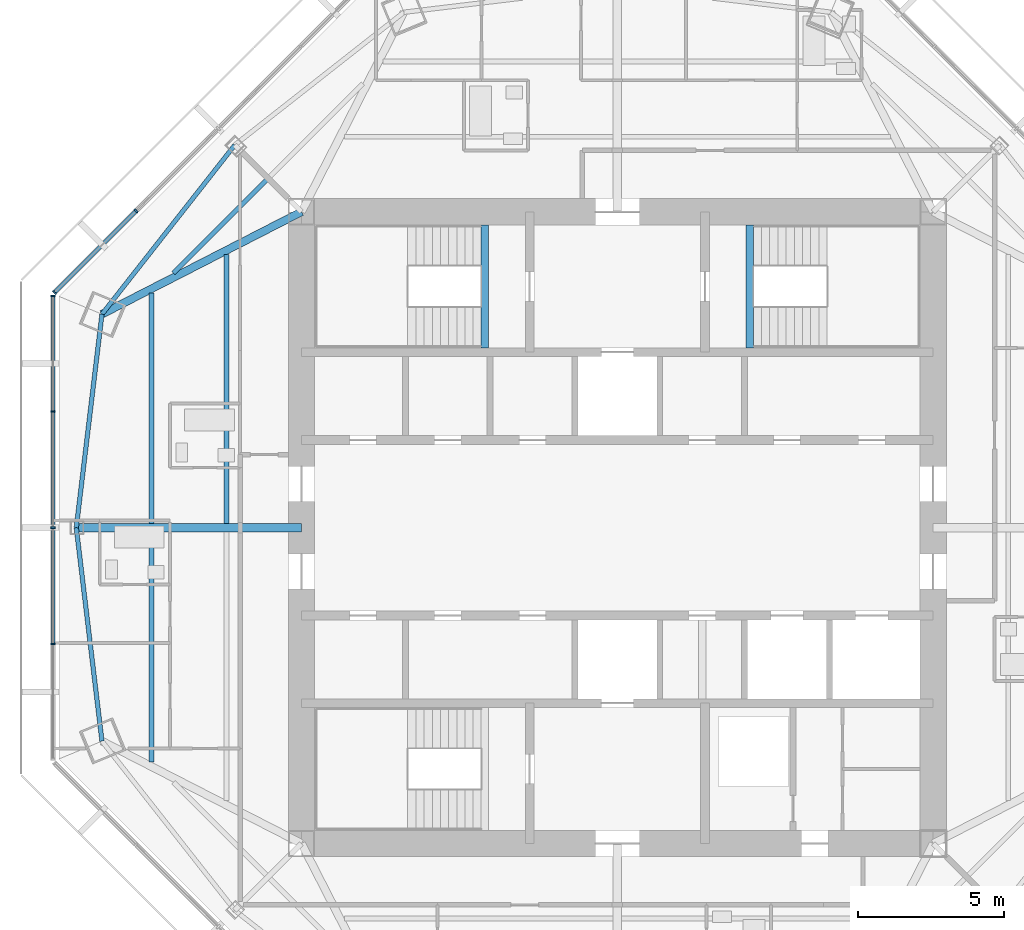
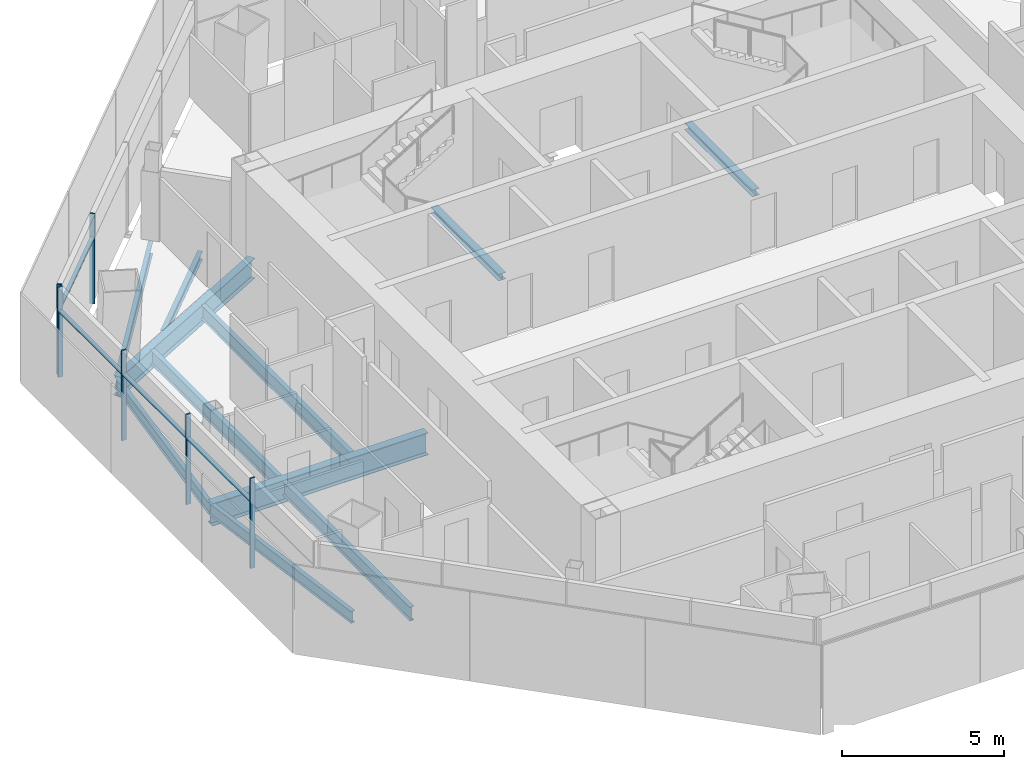
# One storey, part 4 of 15: 11 beams, 10 members, 2 elements without a shape of their own.
"""IFC4 building model written with IfcOpenShell, lengths in metres."""

from ifc_helpers import new_model, si_unit, direction, frame, origin, origin_2d, place, context, subcontext, project, spatial, rectangle, i_section, extrude, source, transform, mapped, material, material_profile, profile_set, type_object, type_shapes, element, aggregate, save


model = new_model("IFC4")

# Units and contexts
model_context = context("Model", 3, precision=1e-05, world=origin(), true_north=direction((0.0, 1.0)))
body_context = subcontext(model_context, "Body", "Model", "MODEL_VIEW")
ifc_project = project(units=[si_unit("LENGTHUNIT", "METRE"), si_unit("AREAUNIT", "SQUARE_METRE"), si_unit("VOLUMEUNIT", "CUBIC_METRE"), si_unit("PLANEANGLEUNIT", "RADIAN"), si_unit("MASSUNIT", "GRAM", prefix="KILO")], contexts=[model_context])

# Site, building, storey
site_placement = place(None, origin())
site = spatial("IfcSite", under=ifc_project, at=site_placement, CompositionType="ELEMENT")
building_placement = place(site_placement, origin())
building = spatial("IfcBuilding", under=site, at=building_placement, Name="Mashrafa Tower", CompositionType="ELEMENT")
storey_placement = place(building_placement, frame((0.0, 0.0, 308.199951171875)))
storey = spatial("IfcBuildingStorey", under=building, at=storey_placement, Name="L76", CompositionType="ELEMENT", Elevation=308.199951171875)

# Beams
ifc_material_1 = material(Name="Steel ASTM A992", Category="steel")
ifc_material_profile_1 = material_profile(ifc_material_1, i_section(OverallWidth=0.164794921875, OverallDepth=0.309814453125, WebThickness=0.005859375, FlangeThickness=0.009765625, FilletRadius=0.007568359375, at=origin_2d()), Name="W12X26")
ifc_profile_set_1 = profile_set([ifc_material_profile_1], Name="Steel ASTM A992")
beam_type_1 = type_object("IfcBeamType", Name="Beam W12X26", PredefinedType="BEAM", material=ifc_profile_set_1)
beam_1_placement = place(storey_placement, frame((-15.17919921875, 8.70361328125, -0.35498046875), z_axis=(0.707106781187, 0.707106781187, 0.0), x_axis=(-0.707106781187, 0.707106781187, 0.0)))
element("IfcBeam", 1, at=beam_1_placement, inside=storey, type_object=beam_type_1, Name="Floor beam L76 003", PredefinedType="BEAM", context=body_context, shape_type="SweptSolid", body=[
    extrude(i_section(OverallWidth=0.164794921875, OverallDepth=0.309814453125, WebThickness=0.005859375, FlangeThickness=0.009765625, FilletRadius=0.007568359375, at=origin_2d()), origin(), (0.0, 0.0, 1.0), 4.48974609375),
])
ifc_material_2 = material(Name="Steel ASTM A992", Category="steel")
ifc_material_profile_2 = material_profile(ifc_material_2, i_section(OverallWidth=0.15234375, OverallDepth=0.449462890625, WebThickness=0.007568359375, FlangeThickness=0.0107421875, FilletRadius=0.01025390625, at=origin_2d()), Name="W18X35")
ifc_profile_set_2 = profile_set([ifc_material_profile_2], Name="Steel ASTM A992")
beam_type_2 = type_object("IfcBeamType", Name="Beam W18X35", PredefinedType="BEAM", material=ifc_profile_set_2)
for number, where, z_axis, x_axis, name in (
    (2, (-18.501708984375, 0.0, -0.4248046875), (0.119439821638, -0.992841442027, 0.0), (0.992841442027, 0.119439821638, 0.0), "Spandrel beam L76 041"),
    (3, (-17.62353515625, 7.2998046875, -0.4248046875), (-0.119439821638, -0.992841442027, 0.0), (0.992841442027, -0.119439821638, 0.0), "Spandrel beam L76 043"),
    (4, (-13.082763671875, 13.082763671875, -0.4248046875), (-0.617570758349, -0.786515326254, 0.0), (0.786515326254, -0.617570758349, 0.0), "Spandrel beam L76 045"),
):
    element("IfcBeam", number, at=place(storey_placement, frame(where, z_axis=z_axis, x_axis=x_axis)), inside=storey, type_object=beam_type_2, Name=name, PredefinedType="BEAM", context=body_context, shape_type="SweptSolid", body=[
        extrude(i_section(OverallWidth=0.15234375, OverallDepth=0.449462890625, WebThickness=0.007568359375, FlangeThickness=0.0107421875, FilletRadius=0.01025390625, at=origin_2d()), origin(), (0.0, 0.0, 1.0), 7.3525390625),
    ])
ifc_material_3 = material(Name="Steel ASTM A992", Category="steel")
ifc_material_profile_3 = material_profile(ifc_material_3, i_section(OverallWidth=0.165771484375, OverallDepth=0.5283203125, WebThickness=0.009765625, FlangeThickness=0.013671875, FilletRadius=0.012939453125, at=origin_2d()), Name="W21X50")
ifc_profile_set_3 = profile_set([ifc_material_profile_3], Name="Steel ASTM A992")
beam_type_3 = type_object("IfcBeamType", Name="Beam W21X50", PredefinedType="BEAM", material=ifc_profile_set_3)
for number, where, z_axis, x_axis, name in (
    (5, (-15.9345703125, -8.016357421875, -0.464111328125), (0.0, 1.0, 0.0), (-1.0, 0.0, 0.0), "Floor beam L76 001"),
    (6, (-15.9345703125, 0.14599609375, -0.464111328125), (0.0, 1.0, 0.0), (-1.0, 0.0, 0.0), "Floor beam L76 002"),
):
    element("IfcBeam", number, at=place(storey_placement, frame(where, z_axis=z_axis, x_axis=x_axis)), inside=storey, type_object=beam_type_3, Name=name, PredefinedType="BEAM", context=body_context, shape_type="SweptSolid", body=[
        extrude(i_section(OverallWidth=0.165771484375, OverallDepth=0.5283203125, WebThickness=0.009765625, FlangeThickness=0.013671875, FilletRadius=0.012939453125, at=origin_2d()), origin(), (0.0, 0.0, 1.0), 7.870361328125),
    ])
beam_2_placement = place(storey_placement, frame((-13.3671875, 0.14599609375, -0.464111328125), z_axis=(0.0, 1.0, 0.0), x_axis=(-1.0, 0.0, 0.0)))
element("IfcBeam", 7, at=beam_2_placement, inside=storey, type_object=beam_type_3, Name="Floor beam L76 005", PredefinedType="BEAM", context=body_context, shape_type="SweptSolid", body=[
    extrude(i_section(OverallWidth=0.165771484375, OverallDepth=0.5283203125, WebThickness=0.009765625, FlangeThickness=0.013671875, FilletRadius=0.012939453125, at=origin_2d()), origin(), (0.0, 0.0, 1.0), 9.187255859375),
])
ifc_material_4 = material(Name="Steel ASTM A992", Category="steel")
ifc_material_profile_4 = material_profile(ifc_material_4, i_section(OverallWidth=0.2666015625, OverallDepth=0.75439453125, WebThickness=0.01318359375, FlangeThickness=0.01708984375, FilletRadius=0.0166015625, at=origin_2d()), Name="W30X99")
ifc_profile_set_4 = profile_set([ifc_material_profile_4], Name="Steel ASTM A992")
beam_type_4 = type_object("IfcBeamType", Name="Beam W30X99", PredefinedType="BEAM", material=ifc_profile_set_4)
beam_3_placement = place(storey_placement, frame((-10.800048828125, 10.800048828125, -0.5771484375), z_axis=(-0.889763431111, -0.456421994055, 0.0), x_axis=(0.456421994055, -0.889763431111, 0.0)))
element("IfcBeam", 8, at=beam_3_placement, inside=storey, type_object=beam_type_4, Name="Radial girder L76 029", PredefinedType="BEAM", context=body_context, shape_type="SweptSolid", body=[
    extrude(i_section(OverallWidth=0.2666015625, OverallDepth=0.75439453125, WebThickness=0.01318359375, FlangeThickness=0.01708984375, FilletRadius=0.0166015625, at=origin_2d()), origin(), (0.0, 0.0, 1.0), 7.6689453125),
])
ifc_material_5 = material(Name="Steel ASTM A992", Category="steel")
ifc_material_profile_5 = material_profile(ifc_material_5, i_section(OverallWidth=0.2919921875, OverallDepth=0.8408203125, WebThickness=0.0146484375, FlangeThickness=0.021728515625, FilletRadius=0.017333984375, at=origin_2d()), Name="W33X130")
ifc_profile_set_5 = profile_set([ifc_material_profile_5], Name="Steel ASTM A992")
beam_type_5 = type_object("IfcBeamType", Name="Beam W33X130", PredefinedType="BEAM", material=ifc_profile_set_5)
beam_4_placement = place(storey_placement, frame((-10.800048828125, 0.0, -0.620361328125), z_axis=(-1.0, 0.0, 0.0), x_axis=(0.0, -1.0, 0.0)))
element("IfcBeam", 9, at=beam_4_placement, inside=storey, type_object=beam_type_5, Name="Radial girder L76 028", PredefinedType="BEAM", context=body_context, shape_type="SweptSolid", body=[
    extrude(i_section(OverallWidth=0.2919921875, OverallDepth=0.8408203125, WebThickness=0.0146484375, FlangeThickness=0.021728515625, FilletRadius=0.017333984375, at=origin_2d()), origin(), (0.0, 0.0, 1.0), 7.70166015625),
])
ifc_material_6 = material(Name="Steel ASTM A992", Category="steel")
ifc_material_profile_6 = material_profile(ifc_material_6, i_section(OverallWidth=0.25390625, OverallDepth=0.25390625, WebThickness=0.008544921875, FlangeThickness=0.01416015625, FilletRadius=0.010009765625, at=origin_2d()), Name="W10X49")
ifc_profile_set_6 = profile_set([ifc_material_profile_6], Name="Steel ASTM A992")
beam_type_6 = type_object("IfcBeamType", Name="Hoistway beam W10X49", PredefinedType="BEAM", material=ifc_profile_set_6)
for number, where, z_axis, x_axis, name in (
    (10, (-4.530029296875, 6.14990234375, -0.326904296875), (0.0, 1.0, 0.0), (-1.0, 0.0, 0.0), "Stair S1 landing beam L76"),
    (11, (4.530029296875, 6.14990234375, -0.326904296875), (0.0, 1.0, 0.0), (-1.0, 0.0, 0.0), "Stair S2 landing beam L76"),
):
    element("IfcBeam", number, at=place(storey_placement, frame(where, z_axis=z_axis, x_axis=x_axis)), inside=storey, type_object=beam_type_6, Name=name, PredefinedType="BEAM", context=body_context, shape_type="SweptSolid", body=[
        extrude(i_section(OverallWidth=0.25390625, OverallDepth=0.25390625, WebThickness=0.008544921875, FlangeThickness=0.01416015625, FilletRadius=0.010009765625, at=origin_2d()), origin(), (0.0, 0.0, 1.0), 4.2001953125),
    ])

# Curtain wall, members
ifc_material_7 = material(Name="Unitised aluminium curtain wall", Category="aluminium")
curtain_wall_type = type_object("IfcCurtainWallType", Name="Apartment curtain wall, zone 4 CW-D 160 deep", PredefinedType="NOTDEFINED", material=ifc_material_7)
curtain_wall_1_placement = place(storey_placement, origin())
curtain_wall_1 = element("IfcCurtainWall", 12, at=curtain_wall_1_placement, inside=storey, type_object=curtain_wall_type, Name="Apartment curtain wall, zone 4 L76 north-west", PredefinedType="NOTDEFINED")
ifc_material_8 = material(Name="Extruded aluminium mullion", Category="aluminium")
ifc_material_profile_7 = material_profile(ifc_material_8, rectangle(XDim=0.159912109375, YDim=0.06005859375, at=origin_2d()), Name="Mullion 60x160")
ifc_profile_set_7 = profile_set([ifc_material_profile_7], Name="Extruded aluminium mullion")
member_type_1 = type_object("IfcMemberType", Name="Mullion CW-D 60 x 160", PredefinedType="MULLION", material=ifc_profile_set_7)
shared_shape_1 = source(origin(), body_context, "Body", "SweptSolid", [
    extrude(rectangle(XDim=0.159912109375, YDim=0.06005859375, at=origin_2d()), origin(), (0.0, 0.0, 1.0), 3.400146484375),
])
type_shapes(member_type_1, [shared_shape_1])
member_1_placement = place(storey_placement, frame((-16.455078125, 10.833740234375, 0.0), z_axis=(0.0, 0.0, 1.0), x_axis=(0.707106781187, -0.707106781187, 0.0)))
member_1 = element("IfcMember", 13, at=member_1_placement, type_object=member_type_1, Name="CW-D mullion 4", PredefinedType="MULLION", context=body_context, shape_type="MappedRepresentation", body=[
    mapped(shared_shape_1, transform((0.0, 0.0, 0.0))),
])
member_2_placement = place(storey_placement, frame((-19.244384765625, 8.04443359375, 0.0), z_axis=(0.0, 0.0, 1.0), x_axis=(0.707106781187, -0.707106781187, 0.0)))
member_2 = element("IfcMember", 14, at=member_2_placement, type_object=member_type_1, Name="CW-D mullion 5", PredefinedType="MULLION", context=body_context, shape_type="MappedRepresentation", body=[
    mapped(shared_shape_1, transform((0.0, 0.0, 0.0))),
])

curtain_wall_2_placement = place(storey_placement, origin())
curtain_wall_2 = element("IfcCurtainWall", 15, at=curtain_wall_2_placement, inside=storey, type_object=curtain_wall_type, Name="Apartment curtain wall, zone 4 L76 west", PredefinedType="NOTDEFINED")
member_3_placement = place(storey_placement, frame((-19.296142578125, 7.919677734375, 0.0), z_axis=(0.0, 0.0, 1.0), x_axis=(1.0, 0.0, 0.0)))
member_3 = element("IfcMember", 16, at=member_3_placement, type_object=member_type_1, Name="CW-D mullion 1", PredefinedType="MULLION", context=body_context, shape_type="MappedRepresentation", body=[
    mapped(shared_shape_1, transform((0.0, 0.0, 0.0))),
])
member_4_placement = place(storey_placement, frame((-19.296142578125, 3.974853515625, 0.0), z_axis=(0.0, 0.0, 1.0), x_axis=(1.0, 0.0, 0.0)))
member_4 = element("IfcMember", 17, at=member_4_placement, type_object=member_type_1, Name="CW-D mullion 2", PredefinedType="MULLION", context=body_context, shape_type="MappedRepresentation", body=[
    mapped(shared_shape_1, transform((0.0, 0.0, 0.0))),
])
member_5_placement = place(storey_placement, frame((-19.296142578125, 0.0, 0.0), z_axis=(0.0, 0.0, 1.0), x_axis=(1.0, 0.0, 0.0)))
member_5 = element("IfcMember", 18, at=member_5_placement, type_object=member_type_1, Name="CW-D mullion 3", PredefinedType="MULLION", context=body_context, shape_type="MappedRepresentation", body=[
    mapped(shared_shape_1, transform((0.0, 0.0, 0.0))),
])
member_6_placement = place(storey_placement, frame((-19.296142578125, -3.974853515625, 0.0), z_axis=(0.0, 0.0, 1.0), x_axis=(1.0, 0.0, 0.0)))
member_6 = element("IfcMember", 19, at=member_6_placement, type_object=member_type_1, Name="CW-D mullion 4", PredefinedType="MULLION", context=body_context, shape_type="MappedRepresentation", body=[
    mapped(shared_shape_1, transform((0.0, 0.0, 0.0))),
])

# Member
ifc_material_9 = material(Name="Extruded aluminium transom", Category="aluminium")
ifc_material_profile_8 = material_profile(ifc_material_9, rectangle(XDim=0.1279296875, YDim=0.074951171875, at=origin_2d()), Name="Transom 75x128")
ifc_profile_set_8 = profile_set([ifc_material_profile_8], Name="Extruded aluminium transom")
member_type_2 = type_object("IfcMemberType", Name="Transom CW-D 75 x 128", PredefinedType="MULLION", material=ifc_profile_set_8)
shared_shape_2 = source(origin(), body_context, "Body", "SweptSolid", [
    extrude(rectangle(XDim=0.1279296875, YDim=0.074951171875, at=origin_2d()), origin(), (0.0, 0.0, 1.0), 3.884765625),
])
member_7_placement = place(storey_placement, frame((-16.476318359375, 10.812744140625, 2.5), z_axis=(-0.70707535771, -0.707138203267, 0.0), x_axis=(0.707138203267, -0.70707535771, 0.0)))
member_7 = element("IfcMember", 20, at=member_7_placement, type_object=member_type_2, Name="CW-D transom 4", PredefinedType="MULLION", context=body_context, shape_type="MappedRepresentation", body=[
    mapped(shared_shape_2, transform((0.0, 0.0, 0.0))),
])

aggregate(curtain_wall_1, [member_1, member_2, member_7])

member_8_placement = place(storey_placement, frame((-19.296142578125, 7.8896484375, 2.5), z_axis=(0.0, -1.0, 0.0), x_axis=(1.0, 0.0, 0.0)))
member_8 = element("IfcMember", 21, at=member_8_placement, type_object=member_type_2, Name="CW-D transom 1", PredefinedType="MULLION", context=body_context, shape_type="MappedRepresentation", body=[
    mapped(shared_shape_2, transform((0.0, 0.0, 0.0))),
])

shared_shape_3 = source(origin(), body_context, "Body", "SweptSolid", [
    extrude(rectangle(XDim=0.1279296875, YDim=0.074951171875, at=origin_2d()), origin(), (0.0, 0.0, 1.0), 3.914794921875),
])
type_shapes(member_type_2, [shared_shape_2, shared_shape_3])
member_9_placement = place(storey_placement, frame((-19.296142578125, 3.94482421875, 2.5), z_axis=(0.0, -1.0, 0.0), x_axis=(1.0, 0.0, 0.0)))
member_9 = element("IfcMember", 22, at=member_9_placement, type_object=member_type_2, Name="CW-D transom 2", PredefinedType="MULLION", context=body_context, shape_type="MappedRepresentation", body=[
    mapped(shared_shape_3, transform((0.0, 0.0, 0.0))),
])

member_10_placement = place(storey_placement, frame((-19.296142578125, -0.030029296875, 2.5), z_axis=(0.0, -1.0, 0.0), x_axis=(1.0, 0.0, 0.0)))
member_10 = element("IfcMember", 23, at=member_10_placement, type_object=member_type_2, Name="CW-D transom 3", PredefinedType="MULLION", context=body_context, shape_type="MappedRepresentation", body=[
    mapped(shared_shape_3, transform((0.0, 0.0, 0.0))),
])

aggregate(curtain_wall_2, [member_3, member_4, member_5, member_6, member_8, member_9, member_10])

save(model, "model.ifc")
